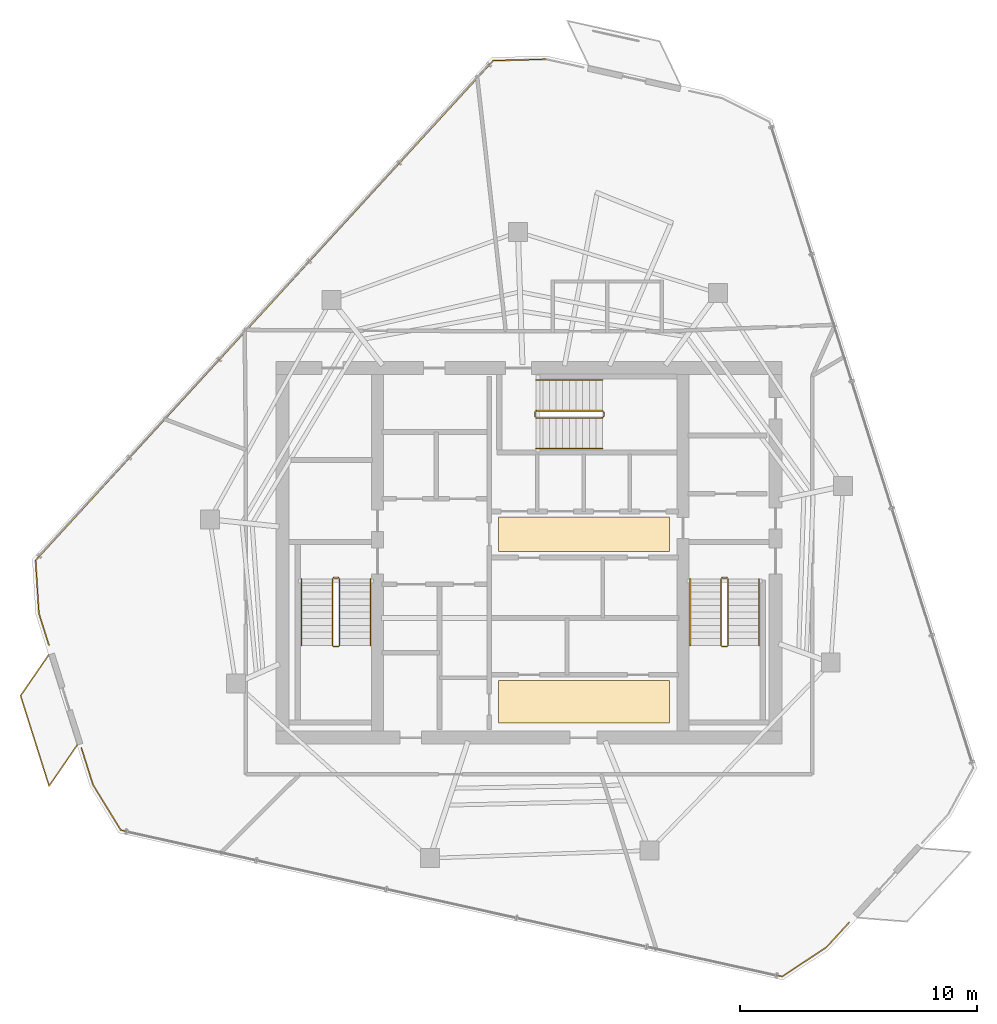
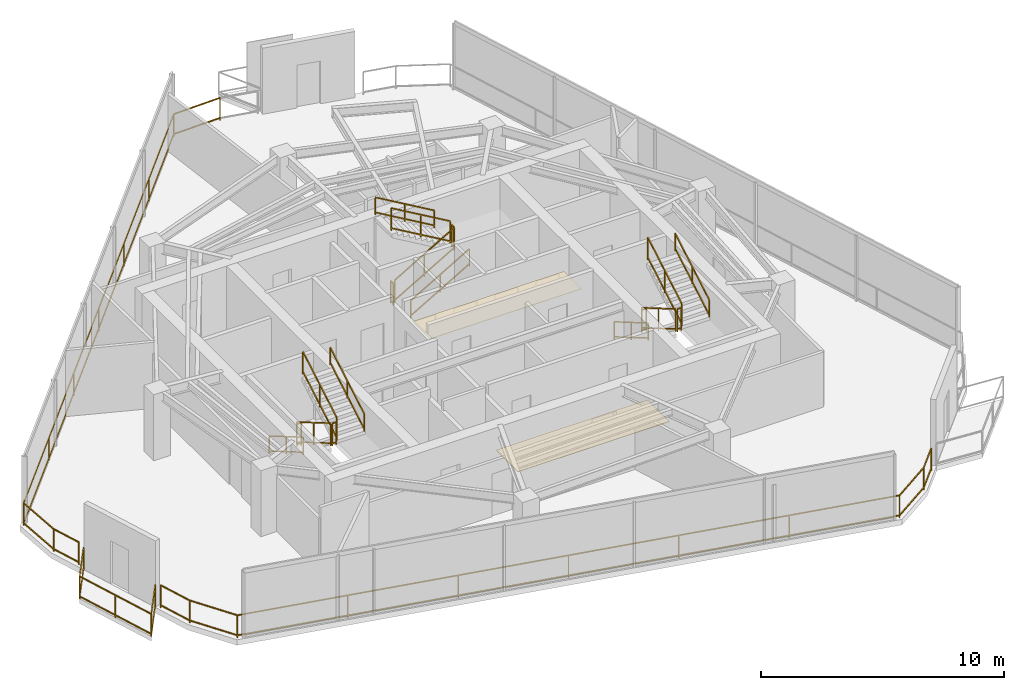
# One storey, part 17 of 18: 21 railings, 2 coverings.
"""IFC4 building model written with IfcOpenShell, lengths in metres."""

from ifc_helpers import new_model, si_unit, direction, frame, origin, origin_2d, place, context, subcontext, project, spatial, rectangle, extrude, material, layer, layer_set, type_object, element, save


model = new_model("IFC4")

# Units and contexts
model_context = context("Model", 3, precision=1e-05, world=origin(), true_north=direction((0.0, 1.0)))
body_context = subcontext(model_context, "Body", "Model", "MODEL_VIEW")
ifc_project = project(units=[si_unit("LENGTHUNIT", "METRE"), si_unit("AREAUNIT", "SQUARE_METRE"), si_unit("VOLUMEUNIT", "CUBIC_METRE"), si_unit("PLANEANGLEUNIT", "RADIAN"), si_unit("MASSUNIT", "GRAM", prefix="KILO")], contexts=[model_context])

# Site, building, storey
site_placement = place(None, origin())
site = spatial("IfcSite", under=ifc_project, at=site_placement, CompositionType="ELEMENT")
building_placement = place(site_placement, origin())
building = spatial("IfcBuilding", under=site, at=building_placement, Name="Qarnah Convention Tower", CompositionType="ELEMENT")
storey_placement = place(building_placement, frame((0.0, 0.0, 246.300048828125)))
storey = spatial("IfcBuildingStorey", under=building, at=storey_placement, Name="L66", CompositionType="ELEMENT", Elevation=246.300048828125)

# Coverings
ifc_material_1 = material(Name="Mineral fibre acoustic ceiling")
ifc_layer_1 = layer(ifc_material_1, 0.02001953125)
ifc_layer_set_1 = layer_set([ifc_layer_1], Name="Mineral fibre acoustic ceiling")
covering_type_1 = type_object("IfcCoveringType", Name="COV-CEIL-20", PredefinedType="CEILING", material=ifc_layer_set_1)
covering_1_placement = place(storey_placement, frame((39.52001953125, 27.179931640625, 2.2900390625), z_axis=(0.0, 0.0, 1.0), x_axis=(1.0, 0.0, 0.0)))
element("IfcCovering", 1, at=covering_1_placement, inside=storey, type_object=covering_type_1, Name="L66 lift lobby acoustic ceiling", PredefinedType="CEILING", context=body_context, shape_type="SweptSolid", body=[
    extrude(rectangle(XDim=7.199951171875, YDim=1.449951171875, at=origin_2d()), origin(), (0.0, 0.0, 1.0), 0.02001953125),
])
ifc_material_2 = material(Name="Porcelain stone floor tile", Category="masonry")
ifc_layer_2 = layer(ifc_material_2, 0.02001953125)
ifc_layer_set_2 = layer_set([ifc_layer_2], Name="Porcelain stone floor tile")
covering_type_2 = type_object("IfcCoveringType", Name="COV-FLOOR-20", PredefinedType="FLOORING", material=ifc_layer_set_2)
covering_2_placement = place(storey_placement, frame((39.52001953125, 20.1201171875, 0.0), z_axis=(0.0, 0.0, 1.0), x_axis=(1.0, 0.0, 0.0)))
element("IfcCovering", 2, at=covering_2_placement, inside=storey, type_object=covering_type_2, Name="L66 lift lobby porcelain stone flooring", PredefinedType="FLOORING", context=body_context, shape_type="SweptSolid", body=[
    extrude(rectangle(XDim=7.199951171875, YDim=1.800048828125, at=origin_2d()), origin(), (0.0, 0.0, 1.0), 0.02001953125),
])

# Railings
ifc_material_3 = material(Name="Black anodised aluminium", Category="aluminium")
railing_type_1 = type_object("IfcRailingType", Name="RL-EXT-GUARD-1150", PredefinedType="GUARDRAIL", material=ifc_material_3)
railing_1_placement = place(storey_placement, frame((50.7060546875, 10.798095703125, 0.0)))
element("IfcRailing", 3, at=railing_1_placement, inside=storey, type_object=railing_type_1, Name="L66 slab-edge perimeter safety guard 03", PredefinedType="GUARDRAIL", context=body_context, shape_type="SweptSolid", body=[
    extrude(rectangle(XDim=0.048095703125, YDim=0.048095703125, at=origin_2d()), frame((0.0, 0.0, 1.1259765625), z_axis=(-0.675630582263, -0.737240338228, 0.0), x_axis=(0.737240338228, -0.675630582263, 0.0)), (0.0, 0.0, 1.0), 1.41064453125),
    extrude(rectangle(XDim=0.048095703125, YDim=0.048095703125, at=origin_2d()), frame((0.0, 0.0, 0.1201171875), z_axis=(-0.675630582263, -0.737240338228, 0.0), x_axis=(0.737240338228, -0.675630582263, 0.0)), (0.0, 0.0, 1.0), 1.41064453125),
    extrude(rectangle(XDim=0.048095703125, YDim=0.048095703125, at=origin_2d()), frame((-0.953125, -1.0400390625, 1.1259765625), z_axis=(-0.833807469752, -0.552055344495, 0.0), x_axis=(0.552055344495, -0.833807469752, 0.0)), (0.0, 0.0, 1.0), 2.239013671875),
    extrude(rectangle(XDim=0.048095703125, YDim=0.048095703125, at=origin_2d()), frame((-0.953125, -1.0400390625, 0.1201171875), z_axis=(-0.833807469752, -0.552055344495, 0.0), x_axis=(0.552055344495, -0.833807469752, 0.0)), (0.0, 0.0, 1.0), 2.239013671875),
    extrude(rectangle(XDim=0.048095703125, YDim=0.048095703125, at=origin_2d()), frame((-2.820068359375, -2.276123046875, 1.1259765625), z_axis=(-0.976373730204, 0.216088729387, 0.0), x_axis=(-0.216088729387, -0.976373730204, 0.0)), (0.0, 0.0, 1.0), 28.594482421875),
    extrude(rectangle(XDim=0.048095703125, YDim=0.048095703125, at=origin_2d()), frame((-2.820068359375, -2.276123046875, 0.1201171875), z_axis=(-0.976373730204, 0.216088729387, 0.0), x_axis=(-0.216088729387, -0.976373730204, 0.0)), (0.0, 0.0, 1.0), 28.594482421875),
    extrude(rectangle(XDim=0.048095703125, YDim=0.048095703125, at=origin_2d()), frame((-30.739013671875, 3.90283203125, 1.1259765625), z_axis=(-0.522886637446, 0.852402231567, 0.0), x_axis=(-0.852402231567, -0.522886637446, 0.0)), (0.0, 0.0, 1.0), 2.23974609375),
    extrude(rectangle(XDim=0.048095703125, YDim=0.048095703125, at=origin_2d()), frame((-30.739013671875, 3.90283203125, 0.1201171875), z_axis=(-0.522886637446, 0.852402231567, 0.0), x_axis=(-0.852402231567, -0.522886637446, 0.0)), (0.0, 0.0, 1.0), 2.23974609375),
    extrude(rectangle(XDim=0.048095703125, YDim=0.048095703125, at=origin_2d()), frame((-31.91015625, 5.81201171875, 1.1259765625), z_axis=(-0.300742337202, 0.953705429687, 0.0), x_axis=(-0.953705429687, -0.300742337202, 0.0)), (0.0, 0.0, 1.0), 1.6220703125),
    extrude(rectangle(XDim=0.048095703125, YDim=0.048095703125, at=origin_2d()), frame((-31.91015625, 5.81201171875, 0.1201171875), z_axis=(-0.300742337202, 0.953705429687, 0.0), x_axis=(-0.953705429687, -0.300742337202, 0.0)), (0.0, 0.0, 1.0), 1.6220703125),
    extrude(rectangle(XDim=0.0419921875, YDim=0.0419921875, at=origin_2d()), origin(), (0.0, 0.0, 1.0), 1.101806640625),
    extrude(rectangle(XDim=0.0419921875, YDim=0.0419921875, at=origin_2d()), frame((-0.953125, -1.0400390625, 0.0)), (0.0, 0.0, 1.0), 1.101806640625),
    extrude(rectangle(XDim=0.0419921875, YDim=0.0419921875, at=origin_2d()), frame((-2.820068359375, -2.276123046875, 0.0)), (0.0, 0.0, 1.0), 1.101806640625),
    extrude(rectangle(XDim=0.0419921875, YDim=0.0419921875, at=origin_2d()), frame((-7.47314453125, -1.246337890625, 0.0)), (0.0, 0.0, 1.0), 1.101806640625),
    extrude(rectangle(XDim=0.0419921875, YDim=0.0419921875, at=origin_2d()), frame((-12.12646484375, -0.216552734375, 0.0)), (0.0, 0.0, 1.0), 1.101806640625),
    extrude(rectangle(XDim=0.0419921875, YDim=0.0419921875, at=origin_2d()), frame((-16.779541015625, 0.8134765625, 0.0)), (0.0, 0.0, 1.0), 1.101806640625),
    extrude(rectangle(XDim=0.0419921875, YDim=0.0419921875, at=origin_2d()), frame((-21.4326171875, 1.84326171875, 0.0)), (0.0, 0.0, 1.0), 1.101806640625),
    extrude(rectangle(XDim=0.0419921875, YDim=0.0419921875, at=origin_2d()), frame((-26.0859375, 2.873046875, 0.0)), (0.0, 0.0, 1.0), 1.101806640625),
    extrude(rectangle(XDim=0.0419921875, YDim=0.0419921875, at=origin_2d()), frame((-30.739013671875, 3.90283203125, 0.0)), (0.0, 0.0, 1.0), 1.101806640625),
    extrude(rectangle(XDim=0.0419921875, YDim=0.0419921875, at=origin_2d()), frame((-31.91015625, 5.81201171875, 0.0)), (0.0, 0.0, 1.0), 1.101806640625),
    extrude(rectangle(XDim=0.0419921875, YDim=0.0419921875, at=origin_2d()), frame((-32.39794921875, 7.35888671875, 0.0)), (0.0, 0.0, 1.0), 1.101806640625),
])
railing_2_placement = place(storey_placement, frame((16.93603515625, 22.5029296875, 0.0)))
element("IfcRailing", 4, at=railing_2_placement, inside=storey, type_object=railing_type_1, Name="L66 slab-edge perimeter safety guard 04", PredefinedType="GUARDRAIL", context=body_context, shape_type="SweptSolid", body=[
    extrude(rectangle(XDim=0.048095703125, YDim=0.048095703125, at=origin_2d()), frame((0.0, 0.0, 1.1259765625), z_axis=(-0.300891490458, 0.95365838274, 0.0), x_axis=(-0.95365838274, -0.300891490458, 0.0)), (0.0, 0.0, 1.0), 1.41259765625),
    extrude(rectangle(XDim=0.048095703125, YDim=0.048095703125, at=origin_2d()), frame((0.0, 0.0, 0.1201171875), z_axis=(-0.300891490458, 0.95365838274, 0.0), x_axis=(-0.95365838274, -0.300891490458, 0.0)), (0.0, 0.0, 1.0), 1.41259765625),
    extrude(rectangle(XDim=0.048095703125, YDim=0.048095703125, at=origin_2d()), frame((-0.425048828125, 1.34716796875, 1.1259765625), z_axis=(-0.061631248964, 0.998098987652, 0.0), x_axis=(-0.998098987652, -0.061631248964, 0.0)), (0.0, 0.0, 1.0), 2.238037109375),
    extrude(rectangle(XDim=0.048095703125, YDim=0.048095703125, at=origin_2d()), frame((-0.425048828125, 1.34716796875, 0.1201171875), z_axis=(-0.061631248964, 0.998098987652, 0.0), x_axis=(-0.998098987652, -0.061631248964, 0.0)), (0.0, 0.0, 1.0), 2.238037109375),
    extrude(rectangle(XDim=0.048095703125, YDim=0.048095703125, at=origin_2d()), frame((-0.56298828125, 3.5810546875, 1.1259765625), z_axis=(0.675333676913, 0.737512321814, 0.0), x_axis=(-0.737512321814, 0.675333676913, 0.0)), (0.0, 0.0, 1.0), 28.59619140625),
    extrude(rectangle(XDim=0.048095703125, YDim=0.048095703125, at=origin_2d()), frame((-0.56298828125, 3.5810546875, 0.1201171875), z_axis=(0.675333676913, 0.737512321814, 0.0), x_axis=(-0.737512321814, 0.675333676913, 0.0)), (0.0, 0.0, 1.0), 28.59619140625),
    extrude(rectangle(XDim=0.048095703125, YDim=0.048095703125, at=origin_2d()), frame((18.7490234375, 24.671142578125, 1.1259765625), z_axis=(0.999643043639, 0.026716760739, 0.0), x_axis=(-0.026716760739, 0.999643043639, 0.0)), (0.0, 0.0, 1.0), 2.23876953125),
    extrude(rectangle(XDim=0.048095703125, YDim=0.048095703125, at=origin_2d()), frame((18.7490234375, 24.671142578125, 0.1201171875), z_axis=(0.999643043639, 0.026716760739, 0.0), x_axis=(-0.026716760739, 0.999643043639, 0.0)), (0.0, 0.0, 1.0), 2.23876953125),
    extrude(rectangle(XDim=0.0419921875, YDim=0.0419921875, at=origin_2d()), origin(), (0.0, 0.0, 1.0), 1.101806640625),
    extrude(rectangle(XDim=0.0419921875, YDim=0.0419921875, at=origin_2d()), frame((-0.425048828125, 1.34716796875, 0.0)), (0.0, 0.0, 1.0), 1.101806640625),
    extrude(rectangle(XDim=0.0419921875, YDim=0.0419921875, at=origin_2d()), frame((-0.56298828125, 3.5810546875, 0.0)), (0.0, 0.0, 1.0), 1.101806640625),
    extrude(rectangle(XDim=0.0419921875, YDim=0.0419921875, at=origin_2d()), frame((2.65576171875, 7.09619140625, 0.0)), (0.0, 0.0, 1.0), 1.101806640625),
    extrude(rectangle(XDim=0.0419921875, YDim=0.0419921875, at=origin_2d()), frame((5.874267578125, 10.611083984375, 0.0)), (0.0, 0.0, 1.0), 1.101806640625),
    extrude(rectangle(XDim=0.0419921875, YDim=0.0419921875, at=origin_2d()), frame((9.093017578125, 14.1259765625, 0.0)), (0.0, 0.0, 1.0), 1.101806640625),
    extrude(rectangle(XDim=0.0419921875, YDim=0.0419921875, at=origin_2d()), frame((12.311767578125, 17.64111328125, 0.0)), (0.0, 0.0, 1.0), 1.101806640625),
    extrude(rectangle(XDim=0.0419921875, YDim=0.0419921875, at=origin_2d()), frame((15.5302734375, 21.15625, 0.0)), (0.0, 0.0, 1.0), 1.101806640625),
    extrude(rectangle(XDim=0.0419921875, YDim=0.0419921875, at=origin_2d()), frame((18.7490234375, 24.671142578125, 0.0)), (0.0, 0.0, 1.0), 1.101806640625),
    extrude(rectangle(XDim=0.0419921875, YDim=0.0419921875, at=origin_2d()), frame((20.987060546875, 24.73095703125, 0.0)), (0.0, 0.0, 1.0), 1.101806640625),
])
railing_3_placement = place(storey_placement, frame((18.126953125, 18.281982421875, 0.0)))
element("IfcRailing", 5, at=railing_3_placement, inside=storey, type_object=railing_type_1, Name="L66 balcony safety guard BAL-L66-C2", PredefinedType="GUARDRAIL", context=body_context, shape_type="SweptSolid", body=[
    extrude(rectangle(XDim=0.048095703125, YDim=0.048095703125, at=origin_2d()), frame((0.0, 0.0, 1.1259765625), z_axis=(-0.566004137033, -0.82440239984, 0.0), x_axis=(0.82440239984, -0.566004137033, 0.0)), (0.0, 0.0, 1.0), 2.09375),
    extrude(rectangle(XDim=0.048095703125, YDim=0.048095703125, at=origin_2d()), frame((0.0, 0.0, 0.1201171875), z_axis=(-0.566004137033, -0.82440239984, 0.0), x_axis=(0.82440239984, -0.566004137033, 0.0)), (0.0, 0.0, 1.0), 2.09375),
    extrude(rectangle(XDim=0.048095703125, YDim=0.048095703125, at=origin_2d()), frame((-1.18505859375, -1.72607421875, 1.1259765625), z_axis=(-0.301210236469, 0.953557755695, 0.0), x_axis=(-0.953557755695, -0.301210236469, 0.0)), (0.0, 0.0, 1.0), 4.0),
    extrude(rectangle(XDim=0.048095703125, YDim=0.048095703125, at=origin_2d()), frame((-1.18505859375, -1.72607421875, 0.1201171875), z_axis=(-0.301210236469, 0.953557755695, 0.0), x_axis=(-0.953557755695, -0.301210236469, 0.0)), (0.0, 0.0, 1.0), 4.0),
    extrude(rectangle(XDim=0.048095703125, YDim=0.048095703125, at=origin_2d()), frame((-2.389892578125, 2.088134765625, 1.1259765625), z_axis=(0.566375426544, 0.824147363162, 0.0), x_axis=(-0.824147363162, 0.566375426544, 0.0)), (0.0, 0.0, 1.0), 2.093994140625),
    extrude(rectangle(XDim=0.048095703125, YDim=0.048095703125, at=origin_2d()), frame((-2.389892578125, 2.088134765625, 0.1201171875), z_axis=(0.566375426544, 0.824147363162, 0.0), x_axis=(-0.824147363162, 0.566375426544, 0.0)), (0.0, 0.0, 1.0), 2.093994140625),
    extrude(rectangle(XDim=0.0419921875, YDim=0.0419921875, at=origin_2d()), origin(), (0.0, 0.0, 1.0), 1.101806640625),
    extrude(rectangle(XDim=0.0419921875, YDim=0.0419921875, at=origin_2d()), frame((-1.18505859375, -1.72607421875, 0.0)), (0.0, 0.0, 1.0), 1.101806640625),
    extrude(rectangle(XDim=0.0419921875, YDim=0.0419921875, at=origin_2d()), frame((-1.78759765625, 0.18115234375, 0.0)), (0.0, 0.0, 1.0), 1.101806640625),
    extrude(rectangle(XDim=0.0419921875, YDim=0.0419921875, at=origin_2d()), frame((-2.389892578125, 2.088134765625, 0.0)), (0.0, 0.0, 1.0), 1.101806640625),
    extrude(rectangle(XDim=0.0419921875, YDim=0.0419921875, at=origin_2d()), frame((-1.203857421875, 3.81396484375, 0.0)), (0.0, 0.0, 1.0), 1.101806640625),
])
ifc_material_4 = material(Name="Structural steel S355JR", Category="steel")
railing_type_2 = type_object("IfcRailingType", Name="RL-STAIR-GUARD-1150", PredefinedType="GUARDRAIL", material=ifc_material_4)
railing_4_placement = place(storey_placement, frame((28.89990234375, 25.300048828125, 0.16357421875)))
element("IfcRailing", 6, at=railing_4_placement, inside=storey, type_object=railing_type_2, Name="L66 ST-1 stair guard 1", PredefinedType="GUARDRAIL", context=body_context, shape_type="SweptSolid", body=[
    extrude(rectangle(XDim=0.048095703125, YDim=0.048095703125, at=origin_2d()), frame((0.0, 0.0, 1.1259765625), z_axis=(0.0, -0.863360870873, 0.504586966384), x_axis=(1.0, 0.0, 0.0)), (0.0, 0.0, 1.0), 3.2431640625),
    extrude(rectangle(XDim=0.048095703125, YDim=0.048095703125, at=origin_2d()), frame((0.0, 0.0, 0.1201171875), z_axis=(0.0, -0.863360870873, 0.504586966384), x_axis=(1.0, 0.0, 0.0)), (0.0, 0.0, 1.0), 3.2431640625),
    extrude(rectangle(XDim=0.0419921875, YDim=0.0419921875, at=origin_2d()), origin(), (0.0, 0.0, 1.0), 1.101806640625),
    extrude(rectangle(XDim=0.0419921875, YDim=0.0419921875, at=origin_2d()), frame((0.0, -1.39990234375, 0.818359375)), (0.0, 0.0, 1.0), 1.101806640625),
    extrude(rectangle(XDim=0.0419921875, YDim=0.0419921875, at=origin_2d()), frame((0.0, -2.800048828125, 1.636474609375)), (0.0, 0.0, 1.0), 1.101806640625),
])
railing_5_placement = place(storey_placement, frame((28.949951171875, 22.449951171875, 1.800048828125)))
element("IfcRailing", 7, at=railing_5_placement, inside=storey, type_object=railing_type_2, Name="L66 ST-1 stair guard 2", PredefinedType="GUARDRAIL", context=body_context, shape_type="SweptSolid", body=[
    extrude(rectangle(XDim=0.048095703125, YDim=0.048095703125, at=origin_2d()), frame((0.0, 0.0, 1.1259765625), z_axis=(1.0, 0.0, 0.0), x_axis=(0.0, 1.0, 0.0)), (0.0, 0.0, 1.0), 0.199951171875),
    extrude(rectangle(XDim=0.048095703125, YDim=0.048095703125, at=origin_2d()), frame((0.0, 0.0, 0.1201171875), z_axis=(1.0, 0.0, 0.0), x_axis=(0.0, 1.0, 0.0)), (0.0, 0.0, 1.0), 0.199951171875),
    extrude(rectangle(XDim=0.0419921875, YDim=0.0419921875, at=origin_2d()), origin(), (0.0, 0.0, 1.0), 1.101806640625),
    extrude(rectangle(XDim=0.0419921875, YDim=0.0419921875, at=origin_2d()), frame((0.199951171875, 0.0, 0.0)), (0.0, 0.0, 1.0), 1.101806640625),
])
railing_6_placement = place(storey_placement, frame((29.199951171875, 22.5, 1.963623046875)))
element("IfcRailing", 8, at=railing_6_placement, inside=storey, type_object=railing_type_2, Name="L66 ST-1 stair guard 3", PredefinedType="GUARDRAIL", context=body_context, shape_type="SweptSolid", body=[
    extrude(rectangle(XDim=0.048095703125, YDim=0.048095703125, at=origin_2d()), frame((0.0, 0.0, 1.1259765625), z_axis=(0.0, 0.863393664356, 0.504530851732), x_axis=(-1.0, 0.0, 0.0)), (0.0, 0.0, 1.0), 3.2431640625),
    extrude(rectangle(XDim=0.048095703125, YDim=0.048095703125, at=origin_2d()), frame((0.0, 0.0, 0.1201171875), z_axis=(0.0, 0.863393664356, 0.504530851732), x_axis=(-1.0, 0.0, 0.0)), (0.0, 0.0, 1.0), 3.2431640625),
    extrude(rectangle(XDim=0.0419921875, YDim=0.0419921875, at=origin_2d()), origin(), (0.0, 0.0, 1.0), 1.101806640625),
    extrude(rectangle(XDim=0.0419921875, YDim=0.0419921875, at=origin_2d()), frame((0.0, 1.39990234375, 0.818115234375)), (0.0, 0.0, 1.0), 1.101806640625),
    extrude(rectangle(XDim=0.0419921875, YDim=0.0419921875, at=origin_2d()), frame((0.0, 2.800048828125, 1.63623046875)), (0.0, 0.0, 1.0), 1.101806640625),
])
railing_7_placement = place(storey_placement, frame((28.949951171875, 25.35009765625, 0.0)))
element("IfcRailing", 9, at=railing_7_placement, inside=storey, type_object=railing_type_2, Name="L66 ST-1 stair guard 4", PredefinedType="GUARDRAIL", context=body_context, shape_type="SweptSolid", body=[
    extrude(rectangle(XDim=0.048095703125, YDim=0.048095703125, at=origin_2d()), frame((0.0, 0.0, 1.1259765625), z_axis=(1.0, 0.0, 0.0), x_axis=(0.0, 1.0, 0.0)), (0.0, 0.0, 1.0), 0.199951171875),
    extrude(rectangle(XDim=0.048095703125, YDim=0.048095703125, at=origin_2d()), frame((0.0, 0.0, 0.1201171875), z_axis=(1.0, 0.0, 0.0), x_axis=(0.0, 1.0, 0.0)), (0.0, 0.0, 1.0), 0.199951171875),
    extrude(rectangle(XDim=0.0419921875, YDim=0.0419921875, at=origin_2d()), origin(), (0.0, 0.0, 1.0), 1.101806640625),
    extrude(rectangle(XDim=0.0419921875, YDim=0.0419921875, at=origin_2d()), frame((0.199951171875, 0.0, 0.0)), (0.0, 0.0, 1.0), 1.101806640625),
])
railing_8_placement = place(storey_placement, frame((45.300048828125, 25.300048828125, 0.16357421875)))
element("IfcRailing", 10, at=railing_8_placement, inside=storey, type_object=railing_type_2, Name="L66 ST-2 stair guard 1", PredefinedType="GUARDRAIL", context=body_context, shape_type="SweptSolid", body=[
    extrude(rectangle(XDim=0.048095703125, YDim=0.048095703125, at=origin_2d()), frame((0.0, 0.0, 1.1259765625), z_axis=(0.0, -0.863360870873, 0.504586966384), x_axis=(1.0, 0.0, 0.0)), (0.0, 0.0, 1.0), 3.2431640625),
    extrude(rectangle(XDim=0.048095703125, YDim=0.048095703125, at=origin_2d()), frame((0.0, 0.0, 0.1201171875), z_axis=(0.0, -0.863360870873, 0.504586966384), x_axis=(1.0, 0.0, 0.0)), (0.0, 0.0, 1.0), 3.2431640625),
    extrude(rectangle(XDim=0.0419921875, YDim=0.0419921875, at=origin_2d()), origin(), (0.0, 0.0, 1.0), 1.101806640625),
    extrude(rectangle(XDim=0.0419921875, YDim=0.0419921875, at=origin_2d()), frame((0.0, -1.39990234375, 0.818359375)), (0.0, 0.0, 1.0), 1.101806640625),
    extrude(rectangle(XDim=0.0419921875, YDim=0.0419921875, at=origin_2d()), frame((0.0, -2.800048828125, 1.636474609375)), (0.0, 0.0, 1.0), 1.101806640625),
])
railing_9_placement = place(storey_placement, frame((45.35009765625, 22.449951171875, 1.800048828125)))
element("IfcRailing", 11, at=railing_9_placement, inside=storey, type_object=railing_type_2, Name="L66 ST-2 stair guard 2", PredefinedType="GUARDRAIL", context=body_context, shape_type="SweptSolid", body=[
    extrude(rectangle(XDim=0.048095703125, YDim=0.048095703125, at=origin_2d()), frame((0.0, 0.0, 1.1259765625), z_axis=(1.0, 0.0, 0.0), x_axis=(0.0, 1.0, 0.0)), (0.0, 0.0, 1.0), 0.199951171875),
    extrude(rectangle(XDim=0.048095703125, YDim=0.048095703125, at=origin_2d()), frame((0.0, 0.0, 0.1201171875), z_axis=(1.0, 0.0, 0.0), x_axis=(0.0, 1.0, 0.0)), (0.0, 0.0, 1.0), 0.199951171875),
    extrude(rectangle(XDim=0.0419921875, YDim=0.0419921875, at=origin_2d()), origin(), (0.0, 0.0, 1.0), 1.101806640625),
    extrude(rectangle(XDim=0.0419921875, YDim=0.0419921875, at=origin_2d()), frame((0.199951171875, 0.0, 0.0)), (0.0, 0.0, 1.0), 1.101806640625),
])
railing_10_placement = place(storey_placement, frame((45.60009765625, 22.5, 1.963623046875)))
element("IfcRailing", 12, at=railing_10_placement, inside=storey, type_object=railing_type_2, Name="L66 ST-2 stair guard 3", PredefinedType="GUARDRAIL", context=body_context, shape_type="SweptSolid", body=[
    extrude(rectangle(XDim=0.048095703125, YDim=0.048095703125, at=origin_2d()), frame((0.0, 0.0, 1.1259765625), z_axis=(0.0, 0.863393664356, 0.504530851732), x_axis=(-1.0, 0.0, 0.0)), (0.0, 0.0, 1.0), 3.2431640625),
    extrude(rectangle(XDim=0.048095703125, YDim=0.048095703125, at=origin_2d()), frame((0.0, 0.0, 0.1201171875), z_axis=(0.0, 0.863393664356, 0.504530851732), x_axis=(-1.0, 0.0, 0.0)), (0.0, 0.0, 1.0), 3.2431640625),
    extrude(rectangle(XDim=0.0419921875, YDim=0.0419921875, at=origin_2d()), origin(), (0.0, 0.0, 1.0), 1.101806640625),
    extrude(rectangle(XDim=0.0419921875, YDim=0.0419921875, at=origin_2d()), frame((0.0, 1.39990234375, 0.818115234375)), (0.0, 0.0, 1.0), 1.101806640625),
    extrude(rectangle(XDim=0.0419921875, YDim=0.0419921875, at=origin_2d()), frame((0.0, 2.800048828125, 1.63623046875)), (0.0, 0.0, 1.0), 1.101806640625),
])
railing_11_placement = place(storey_placement, frame((45.35009765625, 25.35009765625, 0.0)))
element("IfcRailing", 13, at=railing_11_placement, inside=storey, type_object=railing_type_2, Name="L66 ST-2 stair guard 4", PredefinedType="GUARDRAIL", context=body_context, shape_type="SweptSolid", body=[
    extrude(rectangle(XDim=0.048095703125, YDim=0.048095703125, at=origin_2d()), frame((0.0, 0.0, 1.1259765625), z_axis=(1.0, 0.0, 0.0), x_axis=(0.0, 1.0, 0.0)), (0.0, 0.0, 1.0), 0.199951171875),
    extrude(rectangle(XDim=0.048095703125, YDim=0.048095703125, at=origin_2d()), frame((0.0, 0.0, 0.1201171875), z_axis=(1.0, 0.0, 0.0), x_axis=(0.0, 1.0, 0.0)), (0.0, 0.0, 1.0), 0.199951171875),
    extrude(rectangle(XDim=0.0419921875, YDim=0.0419921875, at=origin_2d()), origin(), (0.0, 0.0, 1.0), 1.101806640625),
    extrude(rectangle(XDim=0.0419921875, YDim=0.0419921875, at=origin_2d()), frame((0.199951171875, 0.0, 0.0)), (0.0, 0.0, 1.0), 1.101806640625),
])
railing_12_placement = place(storey_placement, frame((37.5, 32.10009765625, 0.16357421875)))
element("IfcRailing", 14, at=railing_12_placement, inside=storey, type_object=railing_type_2, Name="L66 ST-3 stair guard 1", PredefinedType="GUARDRAIL", context=body_context, shape_type="SweptSolid", body=[
    extrude(rectangle(XDim=0.048095703125, YDim=0.048095703125, at=origin_2d()), frame((0.0, 0.0, 1.1259765625), z_axis=(0.863360870873, 0.0, 0.504586966384), x_axis=(0.0, 1.0, 0.0)), (0.0, 0.0, 1.0), 3.2431640625),
    extrude(rectangle(XDim=0.048095703125, YDim=0.048095703125, at=origin_2d()), frame((0.0, 0.0, 0.1201171875), z_axis=(0.863360870873, 0.0, 0.504586966384), x_axis=(0.0, 1.0, 0.0)), (0.0, 0.0, 1.0), 3.2431640625),
    extrude(rectangle(XDim=0.0419921875, YDim=0.0419921875, at=origin_2d()), origin(), (0.0, 0.0, 1.0), 1.101806640625),
    extrude(rectangle(XDim=0.0419921875, YDim=0.0419921875, at=origin_2d()), frame((1.39990234375, 0.0, 0.818359375)), (0.0, 0.0, 1.0), 1.101806640625),
    extrude(rectangle(XDim=0.0419921875, YDim=0.0419921875, at=origin_2d()), frame((2.800048828125, 0.0, 1.636474609375)), (0.0, 0.0, 1.0), 1.101806640625),
])
railing_13_placement = place(storey_placement, frame((40.35009765625, 32.14990234375, 1.800048828125)))
element("IfcRailing", 15, at=railing_13_placement, inside=storey, type_object=railing_type_2, Name="L66 ST-3 stair guard 2", PredefinedType="GUARDRAIL", context=body_context, shape_type="SweptSolid", body=[
    extrude(rectangle(XDim=0.048095703125, YDim=0.048095703125, at=origin_2d()), frame((0.0, 0.0, 1.1259765625), z_axis=(0.0, 1.0, 0.0), x_axis=(-1.0, 0.0, 0.0)), (0.0, 0.0, 1.0), 0.2001953125),
    extrude(rectangle(XDim=0.048095703125, YDim=0.048095703125, at=origin_2d()), frame((0.0, 0.0, 0.1201171875), z_axis=(0.0, 1.0, 0.0), x_axis=(-1.0, 0.0, 0.0)), (0.0, 0.0, 1.0), 0.2001953125),
    extrude(rectangle(XDim=0.0419921875, YDim=0.0419921875, at=origin_2d()), origin(), (0.0, 0.0, 1.0), 1.101806640625),
    extrude(rectangle(XDim=0.0419921875, YDim=0.0419921875, at=origin_2d()), frame((0.0, 0.2001953125, 0.0)), (0.0, 0.0, 1.0), 1.101806640625),
])
railing_14_placement = place(storey_placement, frame((40.300048828125, 32.39990234375, 1.963623046875)))
element("IfcRailing", 16, at=railing_14_placement, inside=storey, type_object=railing_type_2, Name="L66 ST-3 stair guard 3", PredefinedType="GUARDRAIL", context=body_context, shape_type="SweptSolid", body=[
    extrude(rectangle(XDim=0.048095703125, YDim=0.048095703125, at=origin_2d()), frame((0.0, 0.0, 1.1259765625), z_axis=(-0.863393664356, 0.0, 0.504530851732), x_axis=(0.0, -1.0, 0.0)), (0.0, 0.0, 1.0), 3.2431640625),
    extrude(rectangle(XDim=0.048095703125, YDim=0.048095703125, at=origin_2d()), frame((0.0, 0.0, 0.1201171875), z_axis=(-0.863393664356, 0.0, 0.504530851732), x_axis=(0.0, -1.0, 0.0)), (0.0, 0.0, 1.0), 3.2431640625),
    extrude(rectangle(XDim=0.0419921875, YDim=0.0419921875, at=origin_2d()), origin(), (0.0, 0.0, 1.0), 1.101806640625),
    extrude(rectangle(XDim=0.0419921875, YDim=0.0419921875, at=origin_2d()), frame((-1.39990234375, 0.0, 0.818115234375)), (0.0, 0.0, 1.0), 1.101806640625),
    extrude(rectangle(XDim=0.0419921875, YDim=0.0419921875, at=origin_2d()), frame((-2.800048828125, 0.0, 1.63623046875)), (0.0, 0.0, 1.0), 1.101806640625),
])
railing_15_placement = place(storey_placement, frame((37.449951171875, 32.14990234375, 0.0)))
element("IfcRailing", 17, at=railing_15_placement, inside=storey, type_object=railing_type_2, Name="L66 ST-3 stair guard 4", PredefinedType="GUARDRAIL", context=body_context, shape_type="SweptSolid", body=[
    extrude(rectangle(XDim=0.048095703125, YDim=0.048095703125, at=origin_2d()), frame((0.0, 0.0, 1.1259765625), z_axis=(0.0, 1.0, 0.0), x_axis=(-1.0, 0.0, 0.0)), (0.0, 0.0, 1.0), 0.2001953125),
    extrude(rectangle(XDim=0.048095703125, YDim=0.048095703125, at=origin_2d()), frame((0.0, 0.0, 0.1201171875), z_axis=(0.0, 1.0, 0.0), x_axis=(-1.0, 0.0, 0.0)), (0.0, 0.0, 1.0), 0.2001953125),
    extrude(rectangle(XDim=0.0419921875, YDim=0.0419921875, at=origin_2d()), origin(), (0.0, 0.0, 1.0), 1.101806640625),
    extrude(rectangle(XDim=0.0419921875, YDim=0.0419921875, at=origin_2d()), frame((0.0, 0.2001953125, 0.0)), (0.0, 0.0, 1.0), 1.101806640625),
])
railing_type_3 = type_object("IfcRailingType", Name="RL-STAIR-HAND-900", PredefinedType="HANDRAIL", material=ifc_material_4)
railing_16_placement = place(storey_placement, frame((27.60009765625, 25.300048828125, 0.16357421875)))
element("IfcRailing", 18, at=railing_16_placement, inside=storey, type_object=railing_type_3, Name="L66 ST-1 stair handrail 1", PredefinedType="HANDRAIL", context=body_context, shape_type="SweptSolid", body=[
    extrude(rectangle(XDim=0.048095703125, YDim=0.048095703125, at=origin_2d()), frame((0.0, 0.0, 0.8759765625), z_axis=(0.0, -0.863360870873, 0.504586966384), x_axis=(1.0, 0.0, 0.0)), (0.0, 0.0, 1.0), 3.2431640625),
    extrude(rectangle(XDim=0.048095703125, YDim=0.048095703125, at=origin_2d()), frame((0.0, 0.0, 0.1201171875), z_axis=(0.0, -0.863360870873, 0.504586966384), x_axis=(1.0, 0.0, 0.0)), (0.0, 0.0, 1.0), 3.2431640625),
    extrude(rectangle(XDim=0.0419921875, YDim=0.0419921875, at=origin_2d()), origin(), (0.0, 0.0, 1.0), 0.851806640625),
    extrude(rectangle(XDim=0.0419921875, YDim=0.0419921875, at=origin_2d()), frame((0.0, -1.39990234375, 0.818359375)), (0.0, 0.0, 1.0), 0.851806640625),
    extrude(rectangle(XDim=0.0419921875, YDim=0.0419921875, at=origin_2d()), frame((0.0, -2.800048828125, 1.636474609375)), (0.0, 0.0, 1.0), 0.851806640625),
])
railing_17_placement = place(storey_placement, frame((30.5, 22.5, 1.963623046875)))
element("IfcRailing", 19, at=railing_17_placement, inside=storey, type_object=railing_type_3, Name="L66 ST-1 stair handrail 2", PredefinedType="HANDRAIL", context=body_context, shape_type="SweptSolid", body=[
    extrude(rectangle(XDim=0.048095703125, YDim=0.048095703125, at=origin_2d()), frame((0.0, 0.0, 0.8759765625), z_axis=(0.0, 0.863393664356, 0.504530851732), x_axis=(-1.0, 0.0, 0.0)), (0.0, 0.0, 1.0), 3.2431640625),
    extrude(rectangle(XDim=0.048095703125, YDim=0.048095703125, at=origin_2d()), frame((0.0, 0.0, 0.1201171875), z_axis=(0.0, 0.863393664356, 0.504530851732), x_axis=(-1.0, 0.0, 0.0)), (0.0, 0.0, 1.0), 3.2431640625),
    extrude(rectangle(XDim=0.0419921875, YDim=0.0419921875, at=origin_2d()), origin(), (0.0, 0.0, 1.0), 0.851806640625),
    extrude(rectangle(XDim=0.0419921875, YDim=0.0419921875, at=origin_2d()), frame((0.0, 1.39990234375, 0.818115234375)), (0.0, 0.0, 1.0), 0.851806640625),
    extrude(rectangle(XDim=0.0419921875, YDim=0.0419921875, at=origin_2d()), frame((0.0, 2.800048828125, 1.63623046875)), (0.0, 0.0, 1.0), 0.851806640625),
])
railing_18_placement = place(storey_placement, frame((44.0, 25.300048828125, 0.16357421875)))
element("IfcRailing", 20, at=railing_18_placement, inside=storey, type_object=railing_type_3, Name="L66 ST-2 stair handrail 1", PredefinedType="HANDRAIL", context=body_context, shape_type="SweptSolid", body=[
    extrude(rectangle(XDim=0.048095703125, YDim=0.048095703125, at=origin_2d()), frame((0.0, 0.0, 0.8759765625), z_axis=(0.0, -0.863360870873, 0.504586966384), x_axis=(1.0, 0.0, 0.0)), (0.0, 0.0, 1.0), 3.2431640625),
    extrude(rectangle(XDim=0.048095703125, YDim=0.048095703125, at=origin_2d()), frame((0.0, 0.0, 0.1201171875), z_axis=(0.0, -0.863360870873, 0.504586966384), x_axis=(1.0, 0.0, 0.0)), (0.0, 0.0, 1.0), 3.2431640625),
    extrude(rectangle(XDim=0.0419921875, YDim=0.0419921875, at=origin_2d()), origin(), (0.0, 0.0, 1.0), 0.851806640625),
    extrude(rectangle(XDim=0.0419921875, YDim=0.0419921875, at=origin_2d()), frame((0.0, -1.39990234375, 0.818359375)), (0.0, 0.0, 1.0), 0.851806640625),
    extrude(rectangle(XDim=0.0419921875, YDim=0.0419921875, at=origin_2d()), frame((0.0, -2.800048828125, 1.636474609375)), (0.0, 0.0, 1.0), 0.851806640625),
])
railing_19_placement = place(storey_placement, frame((46.89990234375, 22.5, 1.963623046875)))
element("IfcRailing", 21, at=railing_19_placement, inside=storey, type_object=railing_type_3, Name="L66 ST-2 stair handrail 2", PredefinedType="HANDRAIL", context=body_context, shape_type="SweptSolid", body=[
    extrude(rectangle(XDim=0.048095703125, YDim=0.048095703125, at=origin_2d()), frame((0.0, 0.0, 0.8759765625), z_axis=(0.0, 0.863393664356, 0.504530851732), x_axis=(-1.0, 0.0, 0.0)), (0.0, 0.0, 1.0), 3.2431640625),
    extrude(rectangle(XDim=0.048095703125, YDim=0.048095703125, at=origin_2d()), frame((0.0, 0.0, 0.1201171875), z_axis=(0.0, 0.863393664356, 0.504530851732), x_axis=(-1.0, 0.0, 0.0)), (0.0, 0.0, 1.0), 3.2431640625),
    extrude(rectangle(XDim=0.0419921875, YDim=0.0419921875, at=origin_2d()), origin(), (0.0, 0.0, 1.0), 0.851806640625),
    extrude(rectangle(XDim=0.0419921875, YDim=0.0419921875, at=origin_2d()), frame((0.0, 1.39990234375, 0.818115234375)), (0.0, 0.0, 1.0), 0.851806640625),
    extrude(rectangle(XDim=0.0419921875, YDim=0.0419921875, at=origin_2d()), frame((0.0, 2.800048828125, 1.63623046875)), (0.0, 0.0, 1.0), 0.851806640625),
])
railing_20_placement = place(storey_placement, frame((37.5, 30.800048828125, 0.16357421875)))
element("IfcRailing", 22, at=railing_20_placement, inside=storey, type_object=railing_type_3, Name="L66 ST-3 stair handrail 1", PredefinedType="HANDRAIL", context=body_context, shape_type="SweptSolid", body=[
    extrude(rectangle(XDim=0.048095703125, YDim=0.048095703125, at=origin_2d()), frame((0.0, 0.0, 0.8759765625), z_axis=(0.863360870873, 0.0, 0.504586966384), x_axis=(0.0, 1.0, 0.0)), (0.0, 0.0, 1.0), 3.2431640625),
    extrude(rectangle(XDim=0.048095703125, YDim=0.048095703125, at=origin_2d()), frame((0.0, 0.0, 0.1201171875), z_axis=(0.863360870873, 0.0, 0.504586966384), x_axis=(0.0, 1.0, 0.0)), (0.0, 0.0, 1.0), 3.2431640625),
    extrude(rectangle(XDim=0.0419921875, YDim=0.0419921875, at=origin_2d()), origin(), (0.0, 0.0, 1.0), 0.851806640625),
    extrude(rectangle(XDim=0.0419921875, YDim=0.0419921875, at=origin_2d()), frame((1.39990234375, 0.0, 0.818359375)), (0.0, 0.0, 1.0), 0.851806640625),
    extrude(rectangle(XDim=0.0419921875, YDim=0.0419921875, at=origin_2d()), frame((2.800048828125, 0.0, 1.636474609375)), (0.0, 0.0, 1.0), 0.851806640625),
])
railing_21_placement = place(storey_placement, frame((40.300048828125, 33.699951171875, 1.963623046875)))
element("IfcRailing", 23, at=railing_21_placement, inside=storey, type_object=railing_type_3, Name="L66 ST-3 stair handrail 2", PredefinedType="HANDRAIL", context=body_context, shape_type="SweptSolid", body=[
    extrude(rectangle(XDim=0.048095703125, YDim=0.048095703125, at=origin_2d()), frame((0.0, 0.0, 0.8759765625), z_axis=(-0.863393664356, 0.0, 0.504530851732), x_axis=(0.0, -1.0, 0.0)), (0.0, 0.0, 1.0), 3.2431640625),
    extrude(rectangle(XDim=0.048095703125, YDim=0.048095703125, at=origin_2d()), frame((0.0, 0.0, 0.1201171875), z_axis=(-0.863393664356, 0.0, 0.504530851732), x_axis=(0.0, -1.0, 0.0)), (0.0, 0.0, 1.0), 3.2431640625),
    extrude(rectangle(XDim=0.0419921875, YDim=0.0419921875, at=origin_2d()), origin(), (0.0, 0.0, 1.0), 0.851806640625),
    extrude(rectangle(XDim=0.0419921875, YDim=0.0419921875, at=origin_2d()), frame((-1.39990234375, 0.0, 0.818115234375)), (0.0, 0.0, 1.0), 0.851806640625),
    extrude(rectangle(XDim=0.0419921875, YDim=0.0419921875, at=origin_2d()), frame((-2.800048828125, 0.0, 1.63623046875)), (0.0, 0.0, 1.0), 0.851806640625),
])

save(model, "model.ifc")
